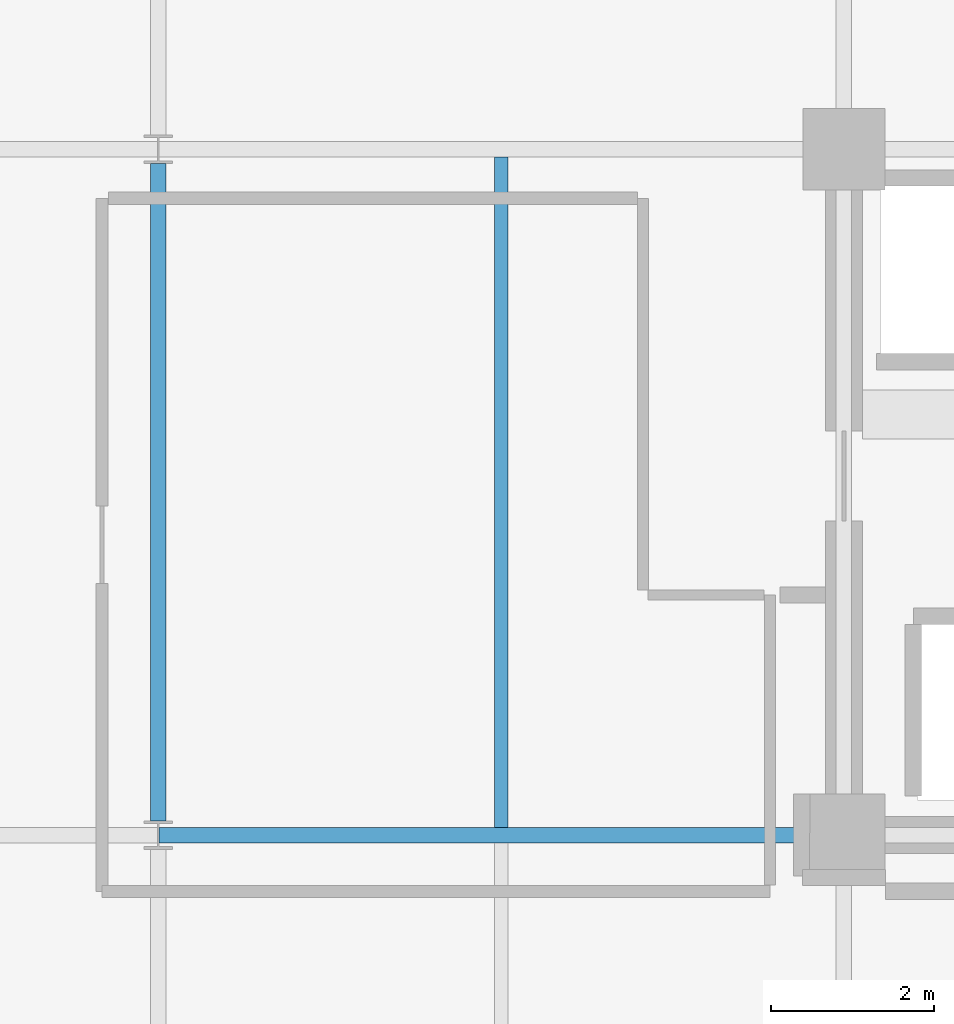
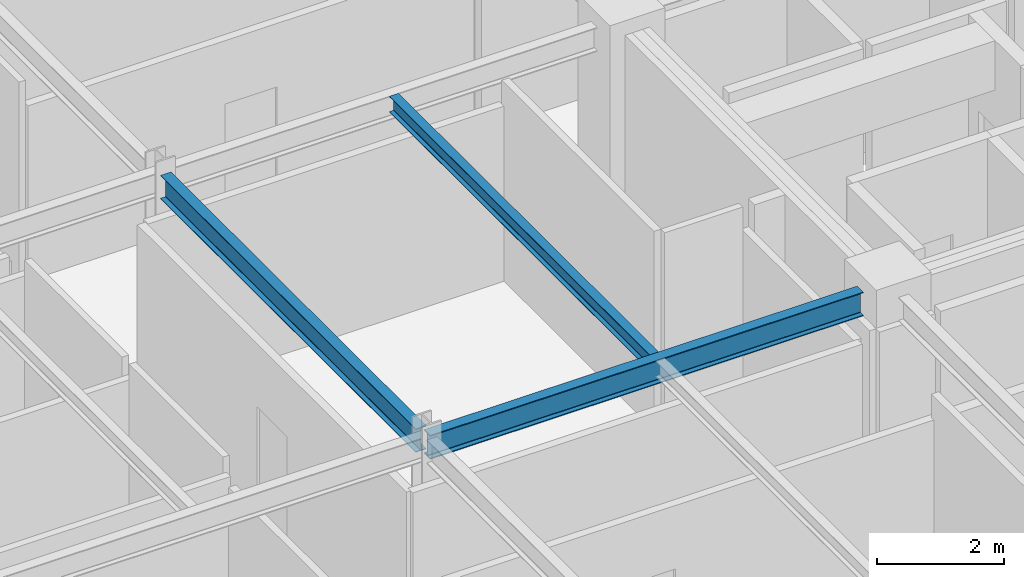
# One storey, part 5 of 25: 3 beams.
"""IFC4 building model written with IfcOpenShell, lengths in metres."""

from ifc_helpers import new_model, si_unit, direction, frame, origin, origin_2d, place, context, subcontext, project, spatial, i_section, extrude, material, material_profile, profile_set, type_object, element, save


model = new_model("IFC4")

# Units and contexts
model_context = context("Model", 3, precision=1e-05, world=origin(), true_north=direction((0.0, 1.0)))
body_context = subcontext(model_context, "Body", "Model", "MODEL_VIEW")
ifc_project = project(units=[si_unit("LENGTHUNIT", "METRE"), si_unit("AREAUNIT", "SQUARE_METRE"), si_unit("VOLUMEUNIT", "CUBIC_METRE"), si_unit("PLANEANGLEUNIT", "RADIAN"), si_unit("MASSUNIT", "GRAM", prefix="KILO")], contexts=[model_context])

# Site, building, storey
site_placement = place(None, origin())
site = spatial("IfcSite", under=ifc_project, at=site_placement, CompositionType="ELEMENT")
building_placement = place(site_placement, origin())
building = spatial("IfcBuilding", under=site, at=building_placement, Name="Nerrivon Quay Data Exchange", CompositionType="ELEMENT")
storey_placement = place(building_placement, frame((0.0, 0.0, 224.699951171875)))
storey = spatial("IfcBuildingStorey", under=building, at=storey_placement, Name="L53", CompositionType="ELEMENT", Elevation=224.699951171875)

# Beams
ifc_material = material(Name="Steel Grade 350", Category="steel")
ifc_material_profile_1 = material_profile(ifc_material, i_section(OverallWidth=0.19091796875, OverallDepth=0.4599609375, WebThickness=0.010009765625, FlangeThickness=0.01611328125, FilletRadius=0.011474609375, at=origin_2d()), Name="460UB82.1")
ifc_profile_set_1 = profile_set([ifc_material_profile_1], Name="Steel Grade 350")
beam_type_1 = type_object("IfcBeamType", Name="BM-G5-460UB82", PredefinedType="BEAM", material=ifc_profile_set_1)
beam_1_placement = place(storey_placement, frame((8.409912109375, 8.39990234375, 3.594970703125), z_axis=(1.0, 0.0, 0.0), x_axis=(0.0, 1.0, 0.0)))
element("IfcBeam", 1, at=beam_1_placement, inside=storey, type_object=beam_type_1, Name="L53 EW Girder Y=8.4 (8.4..16.8)", PredefinedType="BEAM", context=body_context, shape_type="SweptSolid", body=[
    extrude(i_section(OverallWidth=0.19091796875, OverallDepth=0.4599609375, WebThickness=0.010009765625, FlangeThickness=0.01611328125, FilletRadius=0.011474609375, at=origin_2d()), origin(), (0.0, 0.0, 1.0), 7.89013671875),
])
ifc_material_profile_2 = material_profile(ifc_material, i_section(OverallWidth=0.18994140625, OverallDepth=0.4541015625, WebThickness=0.008544921875, FlangeThickness=0.0126953125, FilletRadius=0.011474609375, at=origin_2d()), Name="460UB67.1")
ifc_profile_set_2 = profile_set([ifc_material_profile_2], Name="Steel Grade 350")
beam_type_2 = type_object("IfcBeamType", Name="BM-G6-460UB67", PredefinedType="BEAM", material=ifc_profile_set_2)
beam_2_placement = place(storey_placement, frame((8.39990234375, 8.574951171875, 3.59814453125), z_axis=(0.0, 1.0, 0.0), x_axis=(-1.0, 0.0, 0.0)))
element("IfcBeam", 2, at=beam_2_placement, inside=storey, type_object=beam_type_2, Name="L53 NS Girder X=8.4 (8.4..16.8)", PredefinedType="BEAM", context=body_context, shape_type="SweptSolid", body=[
    extrude(i_section(OverallWidth=0.18994140625, OverallDepth=0.4541015625, WebThickness=0.008544921875, FlangeThickness=0.0126953125, FilletRadius=0.011474609375, at=origin_2d()), origin(), (0.0, 0.0, 1.0), 8.050048828125),
])
ifc_material_profile_3 = material_profile(ifc_material, i_section(OverallWidth=0.166015625, OverallDepth=0.306884765625, WebThickness=0.006591796875, FlangeThickness=0.01171875, FilletRadius=0.011474609375, at=origin_2d()), Name="310UB46.2")
ifc_profile_set_3 = profile_set([ifc_material_profile_3], Name="Steel Grade 350")
beam_type_3 = type_object("IfcBeamType", Name="BM-J5-310UB46", PredefinedType="JOIST", material=ifc_profile_set_3)
beam_3_placement = place(storey_placement, frame((12.60009765625, 8.49560546875, 3.671630859375), z_axis=(0.0, 1.0, 0.0), x_axis=(-1.0, 0.0, 0.0)))
element("IfcBeam", 3, at=beam_3_placement, inside=storey, type_object=beam_type_3, Name="L53 Secondary Joist X=12.6 (8.4..16.8)", PredefinedType="JOIST", context=body_context, shape_type="SweptSolid", body=[
    extrude(i_section(OverallWidth=0.166015625, OverallDepth=0.306884765625, WebThickness=0.006591796875, FlangeThickness=0.01171875, FilletRadius=0.011474609375, at=origin_2d()), origin(), (0.0, 0.0, 1.0), 8.208984375),
])

save(model, "model.ifc")
